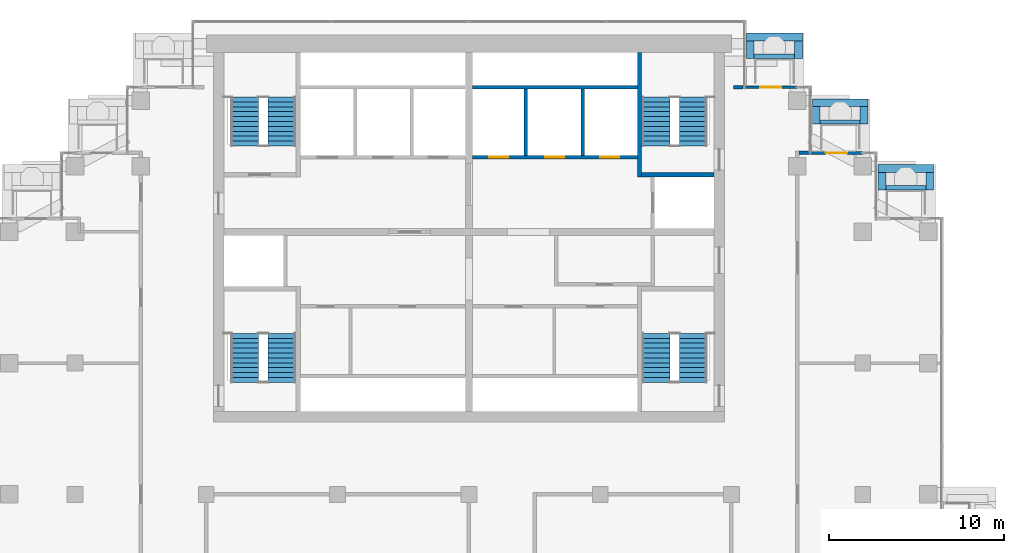
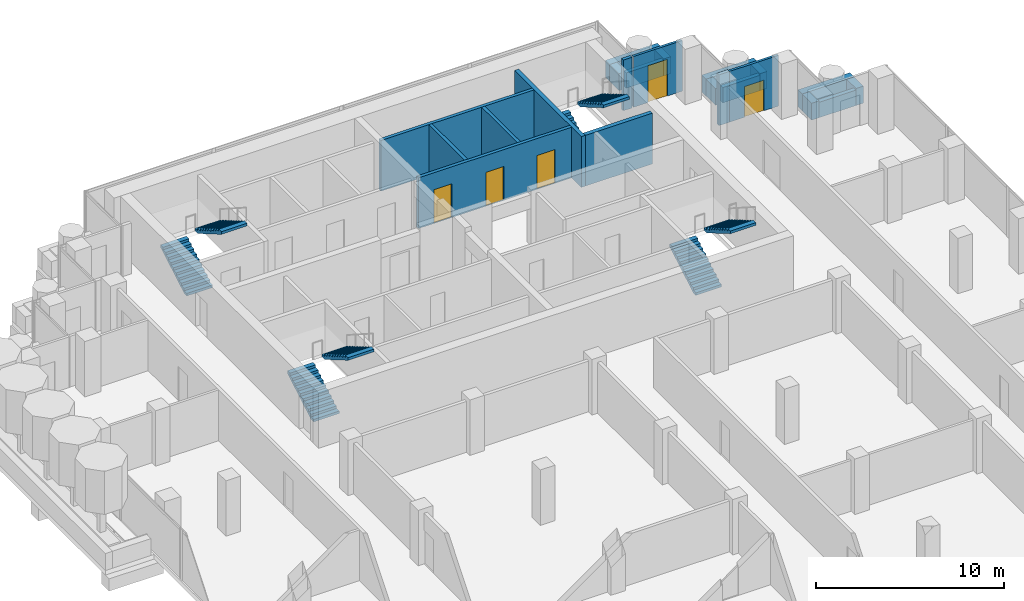
# One storey, part 14 of 17: 22 walls, 8 stair flights, 5 doors, 5 openings, 4 elements without a shape of their own.
"""IFC4 building model written with IfcOpenShell, lengths in metres."""

from ifc_helpers import new_model, si_unit, direction, frame, frame_2d, origin, place, context, subcontext, project, spatial, polyline, rectangle, outline, extrude, material, layer, layer_set, type_object, element, fill, aggregate, save


model = new_model("IFC4")

# Units and contexts
model_context = context("Model", 3, precision=1e-05, world=origin(), true_north=direction((0.0, 1.0)))
body_context = subcontext(model_context, "Body", "Model", "MODEL_VIEW")
ifc_project = project(units=[si_unit("LENGTHUNIT", "METRE"), si_unit("AREAUNIT", "SQUARE_METRE"), si_unit("VOLUMEUNIT", "CUBIC_METRE"), si_unit("PLANEANGLEUNIT", "RADIAN"), si_unit("MASSUNIT", "GRAM", prefix="KILO")], contexts=[model_context])

# Site, building, storey
site_placement = place(None, origin())
site = spatial("IfcSite", under=ifc_project, at=site_placement, CompositionType="ELEMENT")
building_placement = place(site_placement, origin())
building = spatial("IfcBuilding", under=site, at=building_placement, Name="Pilkhan Gate Tower", CompositionType="ELEMENT")
storey_placement = place(building_placement, frame((0.0, 0.0, 213.89990234375)))
storey = spatial("IfcBuildingStorey", under=building, at=storey_placement, Name="L55", CompositionType="ELEMENT", Elevation=213.89990234375)

# Walls
ifc_material_1 = material(Name="Concrete C40/50", Category="concrete")
ifc_layer_1 = layer(ifc_material_1, 0.25)
ifc_layer_set_1 = layer_set([ifc_layer_1], Name="Balcony planter BP250")
wall_type_1 = type_object("IfcWallType", Name="Balcony planter BP250", PredefinedType="USERDEFINED", material=ifc_layer_set_1)
wall_1_placement = place(storey_placement, frame((91.300048828125, 92.52490234375, 0.0), z_axis=(0.0, 0.0, 1.0), x_axis=(1.0, 0.0, 0.0)))
element("IfcWall", 1, at=wall_1_placement, inside=storey, type_object=wall_type_1, Name="Balcony planter L55 N", ObjectType="BALCONY PLANTER", PredefinedType="USERDEFINED", context=body_context, shape_type="SweptSolid", body=[
    extrude(rectangle(XDim=2.300048828125, YDim=0.25, at=frame_2d((1.14990234375, 0.0))), origin(), (0.0, 0.0, 1.0), 1.0),
])
for number, where, z_axis, x_axis, name in (
    (2, (95.070068359375, 88.77490234375, 0.0), (0.0, 0.0, 1.0), (1.0, 0.0, 0.0), "Balcony planter L55 N"),
    (3, (98.820068359375, 85.02490234375, 0.0), (0.0, 0.0, 1.0), (1.0, 0.0, 0.0), "Balcony planter L55 N"),
):
    element("IfcWall", number, at=place(storey_placement, frame(where, z_axis=z_axis, x_axis=x_axis)), inside=storey, type_object=wall_type_1, Name=name, ObjectType="BALCONY PLANTER", PredefinedType="USERDEFINED", context=body_context, shape_type="SweptSolid", body=[
        extrude(rectangle(XDim=2.280029296875, YDim=0.25, at=frame_2d((1.14013671875, 0.0))), origin(), (0.0, 0.0, 1.0), 1.0),
    ])
ifc_material_2 = material(Name="Board-marked Concrete C40/50", Category="concrete")
ifc_layer_2 = layer(ifc_material_2, 0.449951171875)
ifc_layer_set_2 = layer_set([ifc_layer_2], Name="Balcony planter lip BL450")
wall_type_2 = type_object("IfcWallType", Name="Balcony planter lip BL450", PredefinedType="USERDEFINED", material=ifc_layer_set_2)
wall_2_placement = place(storey_placement, frame((90.85009765625, 93.625, 0.0), z_axis=(0.0, 0.0, 1.0), x_axis=(1.0, 0.0, 0.0)))
element("IfcWall", 4, at=wall_2_placement, inside=storey, type_object=wall_type_2, Name="Balcony planter L55 N", ObjectType="BALCONY PLANTER", PredefinedType="USERDEFINED", context=body_context, shape_type="SweptSolid", body=[
    extrude(rectangle(XDim=3.199951171875, YDim=0.449951171875, at=frame_2d((1.60009765625, 0.0))), origin(), (0.0, 0.0, 1.0), 1.10009765625),
])
for number, where, z_axis, x_axis, name in (
    (5, (91.074951171875, 92.39990234375, 0.0), (0.0, 0.0, 1.0), (0.0, 1.0, 0.0), "Balcony planter L55 N"),
    (6, (93.824951171875, 92.39990234375, 0.0), (0.0, 0.0, 1.0), (0.0, 1.0, 0.0), "Balcony planter L55 N"),
):
    element("IfcWall", number, at=place(storey_placement, frame(where, z_axis=z_axis, x_axis=x_axis)), inside=storey, type_object=wall_type_2, Name=name, ObjectType="BALCONY PLANTER", PredefinedType="USERDEFINED", context=body_context, shape_type="SweptSolid", body=[
        extrude(rectangle(XDim=1.0, YDim=0.449951171875, at=frame_2d((0.5, 0.0))), origin(), (0.0, 0.0, 1.0), 1.10009765625),
    ])
wall_3_placement = place(storey_placement, frame((94.6201171875, 89.875, 0.0), z_axis=(0.0, 0.0, 1.0), x_axis=(1.0, 0.0, 0.0)))
element("IfcWall", 7, at=wall_3_placement, inside=storey, type_object=wall_type_2, Name="Balcony planter L55 N", ObjectType="BALCONY PLANTER", PredefinedType="USERDEFINED", context=body_context, shape_type="SweptSolid", body=[
    extrude(rectangle(XDim=3.179931640625, YDim=0.449951171875, at=frame_2d((1.58984375, 0.0))), origin(), (0.0, 0.0, 1.0), 1.10009765625),
])
for number, where, z_axis, x_axis, name in (
    (8, (94.844970703125, 88.64990234375, 0.0), (0.0, 0.0, 1.0), (0.0, 1.0, 0.0), "Balcony planter L55 N"),
    (9, (97.574951171875, 88.64990234375, 0.0), (0.0, 0.0, 1.0), (0.0, 1.0, 0.0), "Balcony planter L55 N"),
):
    element("IfcWall", number, at=place(storey_placement, frame(where, z_axis=z_axis, x_axis=x_axis)), inside=storey, type_object=wall_type_2, Name=name, ObjectType="BALCONY PLANTER", PredefinedType="USERDEFINED", context=body_context, shape_type="SweptSolid", body=[
        extrude(rectangle(XDim=1.0, YDim=0.449951171875, at=frame_2d((0.5, 0.0))), origin(), (0.0, 0.0, 1.0), 1.10009765625),
    ])
wall_4_placement = place(storey_placement, frame((98.3701171875, 86.125, 0.0), z_axis=(0.0, 0.0, 1.0), x_axis=(1.0, 0.0, 0.0)))
element("IfcWall", 10, at=wall_4_placement, inside=storey, type_object=wall_type_2, Name="Balcony planter L55 N", ObjectType="BALCONY PLANTER", PredefinedType="USERDEFINED", context=body_context, shape_type="SweptSolid", body=[
    extrude(rectangle(XDim=3.179931640625, YDim=0.449951171875, at=frame_2d((1.58984375, 0.0))), origin(), (0.0, 0.0, 1.0), 1.10009765625),
])
for number, where, z_axis, x_axis, name in (
    (11, (98.594970703125, 84.89990234375, 0.0), (0.0, 0.0, 1.0), (0.0, 1.0, 0.0), "Balcony planter L55 N"),
    (12, (101.324951171875, 84.89990234375, 0.0), (0.0, 0.0, 1.0), (0.0, 1.0, 0.0), "Balcony planter L55 N"),
):
    element("IfcWall", number, at=place(storey_placement, frame(where, z_axis=z_axis, x_axis=x_axis)), inside=storey, type_object=wall_type_2, Name=name, ObjectType="BALCONY PLANTER", PredefinedType="USERDEFINED", context=body_context, shape_type="SweptSolid", body=[
        extrude(rectangle(XDim=1.0, YDim=0.449951171875, at=frame_2d((0.5, 0.0))), origin(), (0.0, 0.0, 1.0), 1.10009765625),
    ])
ifc_material_3 = material(Name="Dense blockwork", Category="masonry")
ifc_layer_3 = layer(ifc_material_3, 0.199951171875)
ifc_layer_set_3 = layer_set([ifc_layer_3], Name="Corridor wall FW200")
wall_type_3 = type_object("IfcWallType", Name="Corridor wall FW200", PredefinedType="PARTITIONING", material=ifc_layer_set_3)
wall_5_placement = place(storey_placement, frame((93.85009765625, 87.030029296875, 0.0), z_axis=(0.0, 0.0, 1.0), x_axis=(1.0, 0.0, 0.0)))
element("IfcWall", 13, at=wall_5_placement, inside=storey, type_object=wall_type_3, Name="Partition L55", PredefinedType="PARTITIONING", context=body_context, shape_type="SweptSolid", body=[
    extrude(rectangle(XDim=0.639892578125, YDim=0.199951171875, at=frame_2d((0.31982421875, 0.0))), origin(), (0.0, 0.0, 1.0), 3.300048828125),
])
wall_6_placement = place(storey_placement, frame((90.1201171875, 90.764892578125, 0.0), z_axis=(0.0, 0.0, 1.0), x_axis=(1.0, 0.0, 0.0)))
element("IfcWall", 14, at=wall_6_placement, inside=storey, type_object=wall_type_3, Name="Partition L55", PredefinedType="PARTITIONING", context=body_context, shape_type="SweptSolid", body=[
    extrude(rectangle(XDim=0.52490234375, YDim=0.199951171875, at=frame_2d((0.262451171875, 0.0))), origin(), (0.0, 0.0, 1.0), 3.300048828125),
])

# Wall, opening, door
ifc_material_4 = material(Name="Pale anodised aluminium, clear laminated glazing", Category="aluminium")
ifc_layer_4 = layer(ifc_material_4, 0.14990234375)
ifc_layer_set_4 = layer_set([ifc_layer_4], Name="Facade infill wall IW150")
wall_type_4 = type_object("IfcWallType", Name="Facade infill wall IW150", PredefinedType="SOLIDWALL", material=ifc_layer_set_4)
wall_7_placement = place(storey_placement, frame((94.5, 87.0, 0.0), z_axis=(0.0, 0.0, 1.0), x_axis=(1.0, 0.0, 0.0)))
wall_7 = element("IfcWall", 15, at=wall_7_placement, inside=storey, type_object=wall_type_4, Name="Infill wall L55 N", PredefinedType="SOLIDWALL", context=body_context, shape_type="SweptSolid", body=[
    extrude(rectangle(XDim=3.0, YDim=0.14990234375, at=frame_2d((1.5, 0.0))), origin(), (0.0, 0.0, 1.0), 3.300048828125),
])
opening_1_placement = place(wall_7_placement, frame((0.89990234375, 0.0, 0.0)))
opening_1 = element("IfcOpeningElement", 16, at=opening_1_placement, cuts=wall_7, Name="Opening D1L", PredefinedType="OPENING", context=body_context, shape_type="SweptSolid", body=[
    extrude(rectangle(XDim=1.199951171875, YDim=2.0, at=frame_2d((0.60009765625, 1.0))), frame((0.0, 0.0849609375, 0.0), z_axis=(0.0, -1.0, 0.0), x_axis=(1.0, 0.0, 0.0)), (0.0, 0.0, 1.0), 0.169921875),
])
ifc_material_5 = material(Name="Pale anodised aluminium, clear glazing", Category="aluminium")
door_type_1 = type_object("IfcDoorType", Name="Balcony door D1L 1200x2000", OperationType="SINGLE_SWING_LEFT", PredefinedType="DOOR", material=ifc_material_5)
door_1_placement = place(opening_1_placement, origin())
door_1 = element("IfcDoor", 17, at=door_1_placement, inside=storey, type_object=door_type_1, Name="Balcony door L55", OperationType="SINGLE_SWING_LEFT", OverallHeight=2.0, OverallWidth=1.199951171875, PredefinedType="DOOR", context=body_context, shape_type="SweptSolid", body=[
    extrude(rectangle(XDim=1.199951171875, YDim=2.0, at=frame_2d((0.60009765625, 1.0))), frame((0.0, 0.02490234375, 0.0), z_axis=(0.0, -1.0, 0.0), x_axis=(1.0, 0.0, 0.0)), (0.0, 0.0, 1.0), 0.050048828125),
])
fill(opening_1, door_1)

wall_8_placement = place(storey_placement, frame((90.75, 90.75, 0.0), z_axis=(0.0, 0.0, 1.0), x_axis=(1.0, 0.0, 0.0)))
wall_8 = element("IfcWall", 18, at=wall_8_placement, inside=storey, type_object=wall_type_4, Name="Infill wall L55 N", PredefinedType="SOLIDWALL", context=body_context, shape_type="SweptSolid", body=[
    extrude(rectangle(XDim=3.0, YDim=0.14990234375, at=frame_2d((1.5, 0.0))), origin(), (0.0, 0.0, 1.0), 3.300048828125),
])
opening_2_placement = place(wall_8_placement, frame((0.89990234375, 0.0, 0.0)))
opening_2 = element("IfcOpeningElement", 19, at=opening_2_placement, cuts=wall_8, Name="Opening D1", PredefinedType="OPENING", context=body_context, shape_type="SweptSolid", body=[
    extrude(rectangle(XDim=1.199951171875, YDim=2.39990234375, at=frame_2d((0.60009765625, 1.199951171875))), frame((0.0, 0.0849609375, 0.0), z_axis=(0.0, -1.0, 0.0), x_axis=(1.0, 0.0, 0.0)), (0.0, 0.0, 1.0), 0.169921875),
])
door_type_2 = type_object("IfcDoorType", Name="Balcony door D1 1200x2400", OperationType="SINGLE_SWING_LEFT", PredefinedType="DOOR", material=ifc_material_5)
door_2_placement = place(opening_2_placement, origin())
door_2 = element("IfcDoor", 20, at=door_2_placement, inside=storey, type_object=door_type_2, Name="Balcony door L55", OperationType="SINGLE_SWING_LEFT", OverallHeight=2.39990234375, OverallWidth=1.199951171875, PredefinedType="DOOR", context=body_context, shape_type="SweptSolid", body=[
    extrude(rectangle(XDim=1.199951171875, YDim=2.39990234375, at=frame_2d((0.60009765625, 1.199951171875))), frame((0.0, 0.02490234375, 0.0), z_axis=(0.0, -1.0, 0.0), x_axis=(1.0, 0.0, 0.0)), (0.0, 0.0, 1.0), 0.050048828125),
])
fill(opening_2, door_2)

# Wall, openings, doors
ifc_material_6 = material(Name="Reinforced blockwork shaft wall, 120 minute fire resisting", Category="masonry")
ifc_layer_5 = layer(ifc_material_6, 0.199951171875)
ifc_layer_set_5 = layer_set([ifc_layer_5], Name="Shaft wall SW200")
wall_type_5 = type_object("IfcWallType", Name="Shaft wall SW200", PredefinedType="PARTITIONING", material=ifc_layer_set_5)
wall_9_placement = place(storey_placement, frame((75.2099609375, 86.75, 0.0), z_axis=(0.0, 0.0, 1.0), x_axis=(1.0, 0.0, 0.0)))
wall_9 = element("IfcWall", 21, at=wall_9_placement, inside=storey, type_object=wall_type_5, Name="Partition L55", PredefinedType="PARTITIONING", context=body_context, shape_type="SweptSolid", body=[
    extrude(rectangle(XDim=9.4150390625, YDim=0.199951171875, at=frame_2d((4.70751953125, 0.0))), origin(), (0.0, 0.0, 1.0), 3.300048828125),
])
opening_3_placement = place(wall_9_placement, frame((0.949951171875, 0.0, 0.0)))
opening_3 = element("IfcOpeningElement", 22, at=opening_3_placement, cuts=wall_9, Name="Opening LD", PredefinedType="OPENING", context=body_context, shape_type="SweptSolid", body=[
    extrude(rectangle(XDim=1.10009765625, YDim=2.199951171875, at=frame_2d((0.550048828125, 1.10009765625))), frame((0.0, 0.10986328125, 0.0), z_axis=(0.0, -1.0, 0.0), x_axis=(1.0, 0.0, 0.0)), (0.0, 0.0, 1.0), 0.219970703125),
])
opening_4_placement = place(wall_9_placement, frame((4.139892578125, 0.0, 0.0)))
opening_4 = element("IfcOpeningElement", 23, at=opening_4_placement, cuts=wall_9, Name="Opening LD", PredefinedType="OPENING", context=body_context, shape_type="SweptSolid", body=[
    extrude(rectangle(XDim=1.10009765625, YDim=2.199951171875, at=frame_2d((0.550048828125, 1.10009765625))), frame((0.0, 0.10986328125, 0.0), z_axis=(0.0, -1.0, 0.0), x_axis=(1.0, 0.0, 0.0)), (0.0, 0.0, 1.0), 0.219970703125),
])
opening_5_placement = place(wall_9_placement, frame((7.2900390625, 0.0, 0.0)))
opening_5 = element("IfcOpeningElement", 24, at=opening_5_placement, cuts=wall_9, Name="Opening LD", PredefinedType="OPENING", context=body_context, shape_type="SweptSolid", body=[
    extrude(rectangle(XDim=1.10009765625, YDim=2.199951171875, at=frame_2d((0.550048828125, 1.10009765625))), frame((0.0, 0.10986328125, 0.0), z_axis=(0.0, -1.0, 0.0), x_axis=(1.0, 0.0, 0.0)), (0.0, 0.0, 1.0), 0.219970703125),
])
ifc_material_7 = material(Name="Stainless steel centre-opening landing door, 120 minute fire resisting", Category="steel")
door_type_3 = type_object("IfcDoorType", Name="Lift landing door LD 1100x2200", OperationType="DOUBLE_DOOR_SLIDING", PredefinedType="DOOR", material=ifc_material_7)
door_3_placement = place(opening_3_placement, origin())
door_3 = element("IfcDoor", 25, at=door_3_placement, inside=storey, type_object=door_type_3, Name="Landing door HR1", OperationType="DOUBLE_DOOR_SLIDING", OverallHeight=2.199951171875, OverallWidth=1.10009765625, PredefinedType="DOOR", context=body_context, shape_type="SweptSolid", body=[
    extrude(rectangle(XDim=1.10009765625, YDim=2.199951171875, at=frame_2d((0.550048828125, 1.10009765625))), frame((0.0, 0.02490234375, 0.0), z_axis=(0.0, -1.0, 0.0), x_axis=(1.0, 0.0, 0.0)), (0.0, 0.0, 1.0), 0.050048828125),
])
fill(opening_3, door_3)
door_4_placement = place(opening_4_placement, origin())
door_4 = element("IfcDoor", 26, at=door_4_placement, inside=storey, type_object=door_type_3, Name="Landing door HR2", OperationType="DOUBLE_DOOR_SLIDING", OverallHeight=2.199951171875, OverallWidth=1.10009765625, PredefinedType="DOOR", context=body_context, shape_type="SweptSolid", body=[
    extrude(rectangle(XDim=1.10009765625, YDim=2.199951171875, at=frame_2d((0.550048828125, 1.10009765625))), frame((0.0, 0.02490234375, 0.0), z_axis=(0.0, -1.0, 0.0), x_axis=(1.0, 0.0, 0.0)), (0.0, 0.0, 1.0), 0.050048828125),
])
fill(opening_4, door_4)
door_5_placement = place(opening_5_placement, origin())
door_5 = element("IfcDoor", 27, at=door_5_placement, inside=storey, type_object=door_type_3, Name="Landing door HR3", OperationType="DOUBLE_DOOR_SLIDING", OverallHeight=2.199951171875, OverallWidth=1.10009765625, PredefinedType="DOOR", context=body_context, shape_type="SweptSolid", body=[
    extrude(rectangle(XDim=1.10009765625, YDim=2.199951171875, at=frame_2d((0.550048828125, 1.10009765625))), frame((0.0, 0.02490234375, 0.0), z_axis=(0.0, -1.0, 0.0), x_axis=(1.0, 0.0, 0.0)), (0.0, 0.0, 1.0), 0.050048828125),
])
fill(opening_5, door_5)

# Walls
wall_10_placement = place(storey_placement, frame((75.2099609375, 90.75, 0.0), z_axis=(0.0, 0.0, 1.0), x_axis=(1.0, 0.0, 0.0)))
element("IfcWall", 28, at=wall_10_placement, inside=storey, type_object=wall_type_5, Name="Partition L55", PredefinedType="PARTITIONING", context=body_context, shape_type="SweptSolid", body=[
    extrude(rectangle(XDim=9.4150390625, YDim=0.199951171875, at=frame_2d((4.70751953125, 0.0))), origin(), (0.0, 0.0, 1.0), 3.300048828125),
])
for number, where, z_axis, x_axis, name in (
    (29, (78.25, 86.85009765625, 0.0), (0.0, 0.0, 1.0), (0.0, 1.0, 0.0), "Partition L55"),
    (30, (81.5, 86.85009765625, 0.0), (0.0, 0.0, 1.0), (0.0, 1.0, 0.0), "Partition L55"),
):
    element("IfcWall", number, at=place(storey_placement, frame(where, z_axis=z_axis, x_axis=x_axis)), inside=storey, type_object=wall_type_5, Name=name, PredefinedType="PARTITIONING", context=body_context, shape_type="SweptSolid", body=[
        extrude(rectangle(XDim=3.7998046875, YDim=0.199951171875, at=frame_2d((1.89990234375, 0.0))), origin(), (0.0, 0.0, 1.0), 3.300048828125),
    ])
ifc_material_8 = material(Name="Reinforced blockwork, 120 minute fire resisting", Category="masonry")
ifc_layer_6 = layer(ifc_material_8, 0.25)
ifc_layer_set_6 = layer_set([ifc_layer_6], Name="Stair enclosure wall SE250")
wall_type_6 = type_object("IfcWallType", Name="Stair enclosure wall SE250", PredefinedType="PARTITIONING", material=ifc_layer_set_6)
wall_11_placement = place(storey_placement, frame((84.875, 85.75, 0.0), z_axis=(0.0, 0.0, 1.0), x_axis=(1.0, 0.0, 0.0)))
element("IfcWall", 31, at=wall_11_placement, inside=storey, type_object=wall_type_6, Name="Partition L55", PredefinedType="PARTITIONING", context=body_context, shape_type="SweptSolid", body=[
    extrude(rectangle(XDim=4.114990234375, YDim=0.25, at=frame_2d((2.0576171875, 0.0))), origin(), (0.0, 0.0, 1.0), 3.300048828125),
])
wall_12_placement = place(storey_placement, frame((84.75, 85.625, 0.0), z_axis=(0.0, 0.0, 1.0), x_axis=(0.0, 1.0, 0.0)))
element("IfcWall", 32, at=wall_12_placement, inside=storey, type_object=wall_type_6, Name="Partition L55", PredefinedType="PARTITIONING", context=body_context, shape_type="SweptSolid", body=[
    extrude(rectangle(XDim=7.114990234375, YDim=0.25, at=frame_2d((3.5576171875, 0.0))), origin(), (0.0, 0.0, 1.0), 3.300048828125),
])

# Stair, stair flights
ifc_material_9 = material(Name="Concrete C40/50 precast", Category="concrete")
stair_type_1 = type_object("IfcStairType", Name="Stair ST1 164x280", PredefinedType="HALF_TURN_STAIR", material=ifc_material_9)
stair_1_placement = place(storey_placement, origin())
stair_1 = element("IfcStair", 33, at=stair_1_placement, inside=storey, type_object=stair_type_1, Name="Stair ST1 L55", PredefinedType="HALF_TURN_STAIR")
stair_flight_type_1 = type_object("IfcStairFlightType", Name="Stair flight ST1 164x280x11", PredefinedType="STRAIGHT", material=ifc_material_9)
stair_flight_1_placement = place(storey_placement, frame((85.68994140625, 73.89990234375, 0.0), z_axis=(0.0, 0.0, 1.0), x_axis=(0.0, 1.0, 0.0)))
stair_flight_1 = element("IfcStairFlight", 34, at=stair_flight_1_placement, type_object=stair_flight_type_1, Name="ST1 flight 1", NumberOfRisers=11, NumberOfTreads=10, PredefinedType="STRAIGHT", RiserHeight=0.163636364, TreadLength=0.28, context=body_context, shape_type="SweptSolid", body=[
    extrude(outline(polyline([(0.0, 0.0), (0.0, 0.16357421875), (0.280029296875, 0.16357421875), (0.280029296875, 0.327392578125), (0.56005859375, 0.327392578125), (0.56005859375, 0.490966796875), (0.840087890625, 0.490966796875), (0.840087890625, 0.654541015625), (1.1201171875, 0.654541015625), (1.1201171875, 0.818115234375), (1.39990234375, 0.818115234375), (1.39990234375, 0.98193359375), (1.679931640625, 0.98193359375), (1.679931640625, 1.1455078125), (1.9599609375, 1.1455078125), (1.9599609375, 1.30908203125), (2.239990234375, 1.30908203125), (2.239990234375, 1.47265625), (2.52001953125, 1.47265625), (2.52001953125, 1.636474609375), (2.800048828125, 1.636474609375), (2.800048828125, 1.800048828125), (2.800048828125, 1.462646484375), (0.297119140625, 0.0), (0.0, 0.0)])), frame((0.0, 0.7900390625, 0.0), z_axis=(0.0, -1.0, 0.0), x_axis=(1.0, 0.0, 0.0)), (0.0, 0.0, 1.0), 1.580078125),
])
stair_flight_2_placement = place(storey_placement, frame((87.81005859375, 76.699951171875, 1.800048828125), z_axis=(0.0, 0.0, 1.0), x_axis=(0.0, -1.0, 0.0)))
stair_flight_2 = element("IfcStairFlight", 35, at=stair_flight_2_placement, type_object=stair_flight_type_1, Name="ST1 flight 2", NumberOfRisers=11, NumberOfTreads=10, PredefinedType="STRAIGHT", RiserHeight=0.163636364, TreadLength=0.28, context=body_context, shape_type="SweptSolid", body=[
    extrude(outline(polyline([(0.0, 0.0), (0.0, 0.16357421875), (0.280029296875, 0.16357421875), (0.280029296875, 0.327392578125), (0.56005859375, 0.327392578125), (0.56005859375, 0.490966796875), (0.840087890625, 0.490966796875), (0.840087890625, 0.654541015625), (1.1201171875, 0.654541015625), (1.1201171875, 0.818115234375), (1.39990234375, 0.818115234375), (1.39990234375, 0.98193359375), (1.679931640625, 0.98193359375), (1.679931640625, 1.1455078125), (1.9599609375, 1.1455078125), (1.9599609375, 1.30908203125), (2.239990234375, 1.30908203125), (2.239990234375, 1.47265625), (2.52001953125, 1.47265625), (2.52001953125, 1.636474609375), (2.800048828125, 1.636474609375), (2.800048828125, 1.800048828125), (2.800048828125, 1.462646484375), (0.297119140625, 0.0), (0.0, 0.0)])), frame((0.0, 0.7900390625, 0.0), z_axis=(0.0, -1.0, 0.0), x_axis=(1.0, 0.0, 0.0)), (0.0, 0.0, 1.0), 1.580078125),
])
aggregate(stair_1, [stair_flight_1, stair_flight_2])

stair_type_2 = type_object("IfcStairType", Name="Stair ST2 164x280", PredefinedType="HALF_TURN_STAIR", material=ifc_material_9)
stair_2_placement = place(storey_placement, origin())
stair_2 = element("IfcStair", 36, at=stair_2_placement, inside=storey, type_object=stair_type_2, Name="Stair ST2 L55", PredefinedType="HALF_TURN_STAIR")
stair_flight_type_2 = type_object("IfcStairFlightType", Name="Stair flight ST2 164x280x11", PredefinedType="STRAIGHT", material=ifc_material_9)
stair_flight_3_placement = place(storey_placement, frame((62.18994140625, 73.89990234375, 0.0), z_axis=(0.0, 0.0, 1.0), x_axis=(0.0, 1.0, 0.0)))
stair_flight_3 = element("IfcStairFlight", 37, at=stair_flight_3_placement, type_object=stair_flight_type_2, Name="ST2 flight 1", NumberOfRisers=11, NumberOfTreads=10, PredefinedType="STRAIGHT", RiserHeight=0.163636364, TreadLength=0.28, context=body_context, shape_type="SweptSolid", body=[
    extrude(outline(polyline([(0.0, 0.0), (0.0, 0.16357421875), (0.280029296875, 0.16357421875), (0.280029296875, 0.327392578125), (0.56005859375, 0.327392578125), (0.56005859375, 0.490966796875), (0.840087890625, 0.490966796875), (0.840087890625, 0.654541015625), (1.1201171875, 0.654541015625), (1.1201171875, 0.818115234375), (1.39990234375, 0.818115234375), (1.39990234375, 0.98193359375), (1.679931640625, 0.98193359375), (1.679931640625, 1.1455078125), (1.9599609375, 1.1455078125), (1.9599609375, 1.30908203125), (2.239990234375, 1.30908203125), (2.239990234375, 1.47265625), (2.52001953125, 1.47265625), (2.52001953125, 1.636474609375), (2.800048828125, 1.636474609375), (2.800048828125, 1.800048828125), (2.800048828125, 1.462646484375), (0.297119140625, 0.0), (0.0, 0.0)])), frame((0.0, 0.7900390625, 0.0), z_axis=(0.0, -1.0, 0.0), x_axis=(1.0, 0.0, 0.0)), (0.0, 0.0, 1.0), 1.580078125),
])
stair_flight_4_placement = place(storey_placement, frame((64.31005859375, 76.699951171875, 1.800048828125), z_axis=(0.0, 0.0, 1.0), x_axis=(0.0, -1.0, 0.0)))
stair_flight_4 = element("IfcStairFlight", 38, at=stair_flight_4_placement, type_object=stair_flight_type_2, Name="ST2 flight 2", NumberOfRisers=11, NumberOfTreads=10, PredefinedType="STRAIGHT", RiserHeight=0.163636364, TreadLength=0.28, context=body_context, shape_type="SweptSolid", body=[
    extrude(outline(polyline([(0.0, 0.0), (0.0, 0.16357421875), (0.280029296875, 0.16357421875), (0.280029296875, 0.327392578125), (0.56005859375, 0.327392578125), (0.56005859375, 0.490966796875), (0.840087890625, 0.490966796875), (0.840087890625, 0.654541015625), (1.1201171875, 0.654541015625), (1.1201171875, 0.818115234375), (1.39990234375, 0.818115234375), (1.39990234375, 0.98193359375), (1.679931640625, 0.98193359375), (1.679931640625, 1.1455078125), (1.9599609375, 1.1455078125), (1.9599609375, 1.30908203125), (2.239990234375, 1.30908203125), (2.239990234375, 1.47265625), (2.52001953125, 1.47265625), (2.52001953125, 1.636474609375), (2.800048828125, 1.636474609375), (2.800048828125, 1.800048828125), (2.800048828125, 1.462646484375), (0.297119140625, 0.0), (0.0, 0.0)])), frame((0.0, 0.7900390625, 0.0), z_axis=(0.0, -1.0, 0.0), x_axis=(1.0, 0.0, 0.0)), (0.0, 0.0, 1.0), 1.580078125),
])
aggregate(stair_2, [stair_flight_3, stair_flight_4])

stair_type_3 = type_object("IfcStairType", Name="Stair ST3 164x280", PredefinedType="HALF_TURN_STAIR", material=ifc_material_9)
stair_3_placement = place(storey_placement, origin())
stair_3 = element("IfcStair", 39, at=stair_3_placement, inside=storey, type_object=stair_type_3, Name="Stair ST3 L55", PredefinedType="HALF_TURN_STAIR")
stair_flight_type_3 = type_object("IfcStairFlightType", Name="Stair flight ST3 164x280x11", PredefinedType="STRAIGHT", material=ifc_material_9)
stair_flight_5_placement = place(storey_placement, frame((62.18994140625, 87.39990234375, 0.0), z_axis=(0.0, 0.0, 1.0), x_axis=(0.0, 1.0, 0.0)))
stair_flight_5 = element("IfcStairFlight", 40, at=stair_flight_5_placement, type_object=stair_flight_type_3, Name="ST3 flight 1", NumberOfRisers=11, NumberOfTreads=10, PredefinedType="STRAIGHT", RiserHeight=0.163636364, TreadLength=0.28, context=body_context, shape_type="SweptSolid", body=[
    extrude(outline(polyline([(0.0, 0.0), (0.0, 0.16357421875), (0.280029296875, 0.16357421875), (0.280029296875, 0.327392578125), (0.56005859375, 0.327392578125), (0.56005859375, 0.490966796875), (0.840087890625, 0.490966796875), (0.840087890625, 0.654541015625), (1.1201171875, 0.654541015625), (1.1201171875, 0.818115234375), (1.39990234375, 0.818115234375), (1.39990234375, 0.98193359375), (1.679931640625, 0.98193359375), (1.679931640625, 1.1455078125), (1.9599609375, 1.1455078125), (1.9599609375, 1.30908203125), (2.239990234375, 1.30908203125), (2.239990234375, 1.47265625), (2.52001953125, 1.47265625), (2.52001953125, 1.636474609375), (2.800048828125, 1.636474609375), (2.800048828125, 1.800048828125), (2.800048828125, 1.462646484375), (0.297119140625, 0.0), (0.0, 0.0)])), frame((0.0, 0.7900390625, 0.0), z_axis=(0.0, -1.0, 0.0), x_axis=(1.0, 0.0, 0.0)), (0.0, 0.0, 1.0), 1.580078125),
])
stair_flight_6_placement = place(storey_placement, frame((64.31005859375, 90.199951171875, 1.800048828125), z_axis=(0.0, 0.0, 1.0), x_axis=(0.0, -1.0, 0.0)))
stair_flight_6 = element("IfcStairFlight", 41, at=stair_flight_6_placement, type_object=stair_flight_type_3, Name="ST3 flight 2", NumberOfRisers=11, NumberOfTreads=10, PredefinedType="STRAIGHT", RiserHeight=0.163636364, TreadLength=0.28, context=body_context, shape_type="SweptSolid", body=[
    extrude(outline(polyline([(0.0, 0.0), (0.0, 0.16357421875), (0.280029296875, 0.16357421875), (0.280029296875, 0.327392578125), (0.56005859375, 0.327392578125), (0.56005859375, 0.490966796875), (0.840087890625, 0.490966796875), (0.840087890625, 0.654541015625), (1.1201171875, 0.654541015625), (1.1201171875, 0.818115234375), (1.39990234375, 0.818115234375), (1.39990234375, 0.98193359375), (1.679931640625, 0.98193359375), (1.679931640625, 1.1455078125), (1.9599609375, 1.1455078125), (1.9599609375, 1.30908203125), (2.239990234375, 1.30908203125), (2.239990234375, 1.47265625), (2.52001953125, 1.47265625), (2.52001953125, 1.636474609375), (2.800048828125, 1.636474609375), (2.800048828125, 1.800048828125), (2.800048828125, 1.462646484375), (0.297119140625, 0.0), (0.0, 0.0)])), frame((0.0, 0.7900390625, 0.0), z_axis=(0.0, -1.0, 0.0), x_axis=(1.0, 0.0, 0.0)), (0.0, 0.0, 1.0), 1.580078125),
])
aggregate(stair_3, [stair_flight_5, stair_flight_6])

stair_type_4 = type_object("IfcStairType", Name="Stair ST4 164x280", PredefinedType="HALF_TURN_STAIR", material=ifc_material_9)
stair_4_placement = place(storey_placement, origin())
stair_4 = element("IfcStair", 42, at=stair_4_placement, inside=storey, type_object=stair_type_4, Name="Stair ST4 L55", PredefinedType="HALF_TURN_STAIR")
stair_flight_type_4 = type_object("IfcStairFlightType", Name="Stair flight ST4 164x280x11", PredefinedType="STRAIGHT", material=ifc_material_9)
stair_flight_7_placement = place(storey_placement, frame((85.68994140625, 87.39990234375, 0.0), z_axis=(0.0, 0.0, 1.0), x_axis=(0.0, 1.0, 0.0)))
stair_flight_7 = element("IfcStairFlight", 43, at=stair_flight_7_placement, type_object=stair_flight_type_4, Name="ST4 flight 1", NumberOfRisers=11, NumberOfTreads=10, PredefinedType="STRAIGHT", RiserHeight=0.163636364, TreadLength=0.28, context=body_context, shape_type="SweptSolid", body=[
    extrude(outline(polyline([(0.0, 0.0), (0.0, 0.16357421875), (0.280029296875, 0.16357421875), (0.280029296875, 0.327392578125), (0.56005859375, 0.327392578125), (0.56005859375, 0.490966796875), (0.840087890625, 0.490966796875), (0.840087890625, 0.654541015625), (1.1201171875, 0.654541015625), (1.1201171875, 0.818115234375), (1.39990234375, 0.818115234375), (1.39990234375, 0.98193359375), (1.679931640625, 0.98193359375), (1.679931640625, 1.1455078125), (1.9599609375, 1.1455078125), (1.9599609375, 1.30908203125), (2.239990234375, 1.30908203125), (2.239990234375, 1.47265625), (2.52001953125, 1.47265625), (2.52001953125, 1.636474609375), (2.800048828125, 1.636474609375), (2.800048828125, 1.800048828125), (2.800048828125, 1.462646484375), (0.297119140625, 0.0), (0.0, 0.0)])), frame((0.0, 0.7900390625, 0.0), z_axis=(0.0, -1.0, 0.0), x_axis=(1.0, 0.0, 0.0)), (0.0, 0.0, 1.0), 1.580078125),
])
stair_flight_8_placement = place(storey_placement, frame((87.81005859375, 90.199951171875, 1.800048828125), z_axis=(0.0, 0.0, 1.0), x_axis=(0.0, -1.0, 0.0)))
stair_flight_8 = element("IfcStairFlight", 44, at=stair_flight_8_placement, type_object=stair_flight_type_4, Name="ST4 flight 2", NumberOfRisers=11, NumberOfTreads=10, PredefinedType="STRAIGHT", RiserHeight=0.163636364, TreadLength=0.28, context=body_context, shape_type="SweptSolid", body=[
    extrude(outline(polyline([(0.0, 0.0), (0.0, 0.16357421875), (0.280029296875, 0.16357421875), (0.280029296875, 0.327392578125), (0.56005859375, 0.327392578125), (0.56005859375, 0.490966796875), (0.840087890625, 0.490966796875), (0.840087890625, 0.654541015625), (1.1201171875, 0.654541015625), (1.1201171875, 0.818115234375), (1.39990234375, 0.818115234375), (1.39990234375, 0.98193359375), (1.679931640625, 0.98193359375), (1.679931640625, 1.1455078125), (1.9599609375, 1.1455078125), (1.9599609375, 1.30908203125), (2.239990234375, 1.30908203125), (2.239990234375, 1.47265625), (2.52001953125, 1.47265625), (2.52001953125, 1.636474609375), (2.800048828125, 1.636474609375), (2.800048828125, 1.800048828125), (2.800048828125, 1.462646484375), (0.297119140625, 0.0), (0.0, 0.0)])), frame((0.0, 0.7900390625, 0.0), z_axis=(0.0, -1.0, 0.0), x_axis=(1.0, 0.0, 0.0)), (0.0, 0.0, 1.0), 1.580078125),
])
aggregate(stair_4, [stair_flight_7, stair_flight_8])

save(model, "model.ifc")
